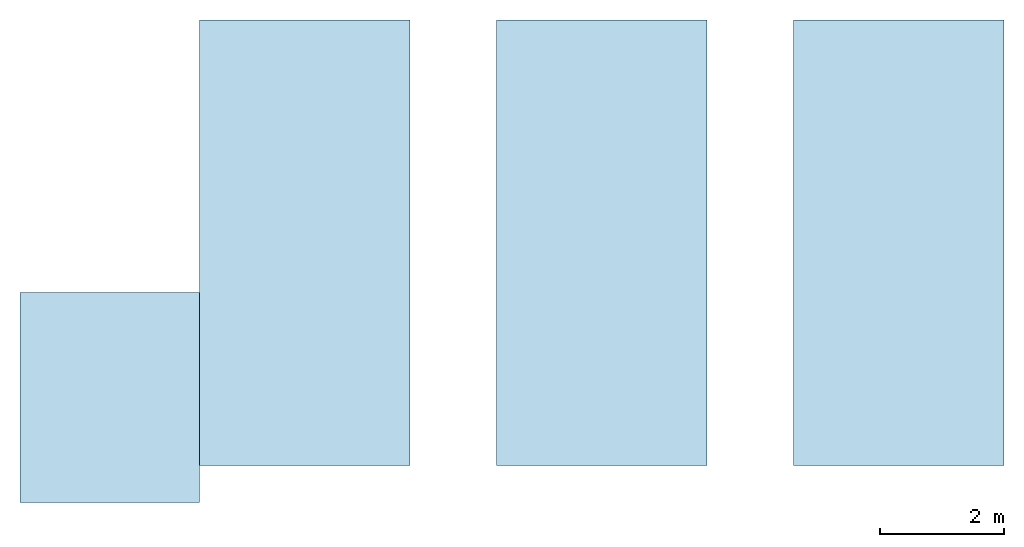
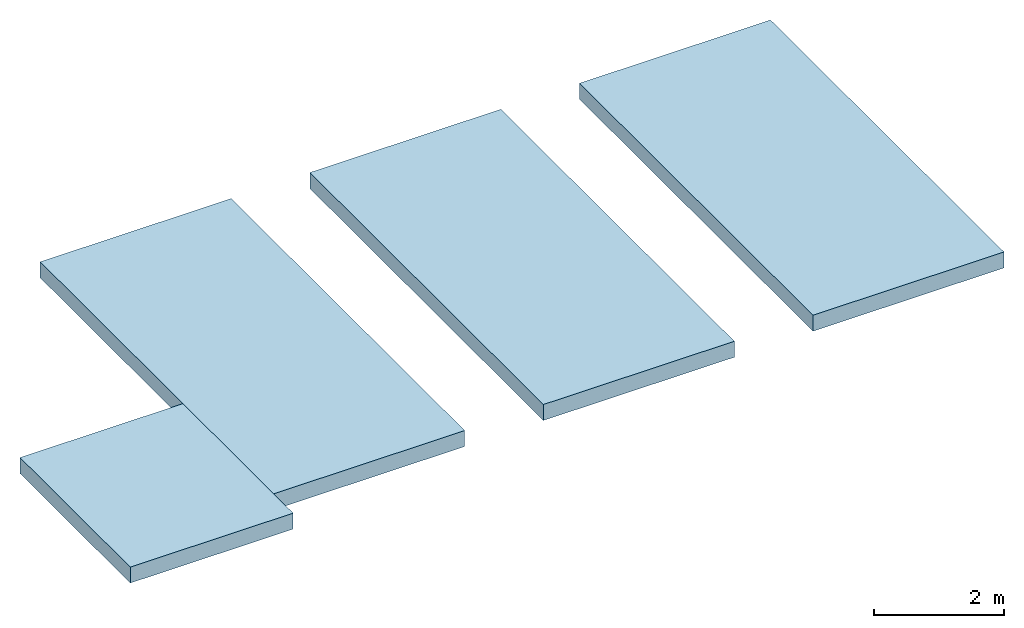
# One storey: 4 slabs.
"""IFC4 building model written with IfcOpenShell, lengths in metres."""

from ifc_helpers import new_model, si_unit, direction, frame, origin, place, context, subcontext, project, spatial, polyline, outline, extrude, material, layer, layer_set, type_object, element, save


model = new_model("IFC4")

# Units and contexts
model_context = context("Model", 3, precision=1e-05, world=origin(), true_north=direction((0.0, 1.0)))
body_context = subcontext(model_context, "Body", "Model", "MODEL_VIEW")
ifc_project = project(units=[si_unit("LENGTHUNIT", "METRE"), si_unit("AREAUNIT", "SQUARE_METRE"), si_unit("VOLUMEUNIT", "CUBIC_METRE"), si_unit("PLANEANGLEUNIT", "RADIAN"), si_unit("MASSUNIT", "GRAM", prefix="KILO")], contexts=[model_context])

# Site, building, storey
site_placement = place(None, origin())
site = spatial("IfcSite", under=ifc_project, at=site_placement, CompositionType="ELEMENT")
building_placement = place(site_placement, origin())
building = spatial("IfcBuilding", under=site, at=building_placement, Name="Tuul Gate Civic Tower", CompositionType="ELEMENT")
storey_placement = place(building_placement, frame((0.0, 0.0, 387.300048828125)))
storey = spatial("IfcBuildingStorey", under=building, at=storey_placement, Name="Upper Roof 1", CompositionType="ELEMENT", Elevation=387.300048828125)

# Slabs
ifc_material = material(Name="Concrete C40/50", Category="concrete")
ifc_layer = layer(ifc_material, 0.300048828125)
ifc_layer_set = layer_set([ifc_layer], Name="Concrete C40/50")
slab_type = type_object("IfcSlabType", Name="Core roof slab", PredefinedType="ROOF", material=ifc_layer_set)
slab_1_placement = place(storey_placement, frame((0.0, 0.0, -0.300048828125)))
element("IfcSlab", 1, at=slab_1_placement, inside=storey, type_object=slab_type, Name="ROOF SLAB", PredefinedType="ROOF", context=body_context, shape_type="SweptSolid", body=[
    extrude(outline(polyline([(-3.300048828125, -0.89990234375), (-3.300048828125, 6.300048828125), (-6.699951171875, 6.300048828125), (-6.699951171875, -0.89990234375), (-3.300048828125, -0.89990234375)])), origin(), (0.0, 0.0, 1.0), 0.300048828125),
])
slab_2_placement = place(storey_placement, frame((0.0, 0.0, -0.300048828125)))
element("IfcSlab", 2, at=slab_2_placement, inside=storey, type_object=slab_type, Name="ROOF SLAB", PredefinedType="ROOF", context=body_context, shape_type="SweptSolid", body=[
    extrude(outline(polyline([(1.5, -0.89990234375), (1.5, 6.300048828125), (-1.89990234375, 6.300048828125), (-1.89990234375, -0.89990234375), (1.5, -0.89990234375)])), origin(), (0.0, 0.0, 1.0), 0.300048828125),
])
slab_3_placement = place(storey_placement, frame((0.0, 0.0, -0.300048828125)))
element("IfcSlab", 3, at=slab_3_placement, inside=storey, type_object=slab_type, Name="ROOF SLAB", PredefinedType="ROOF", context=body_context, shape_type="SweptSolid", body=[
    extrude(outline(polyline([(6.300048828125, -0.89990234375), (6.300048828125, 6.300048828125), (2.89990234375, 6.300048828125), (2.89990234375, -0.89990234375), (6.300048828125, -0.89990234375)])), origin(), (0.0, 0.0, 1.0), 0.300048828125),
])
slab_4_placement = place(storey_placement, frame((0.0, 0.0, -0.300048828125)))
element("IfcSlab", 4, at=slab_4_placement, inside=storey, type_object=slab_type, Name="ROOF SLAB", PredefinedType="ROOF", context=body_context, shape_type="SweptSolid", body=[
    extrude(outline(polyline([(-6.699951171875, -1.5), (-6.699951171875, 1.89990234375), (-9.60009765625, 1.89990234375), (-9.60009765625, -1.5), (-6.699951171875, -1.5)])), origin(), (0.0, 0.0, 1.0), 0.300048828125),
])

save(model, "model.ifc")
